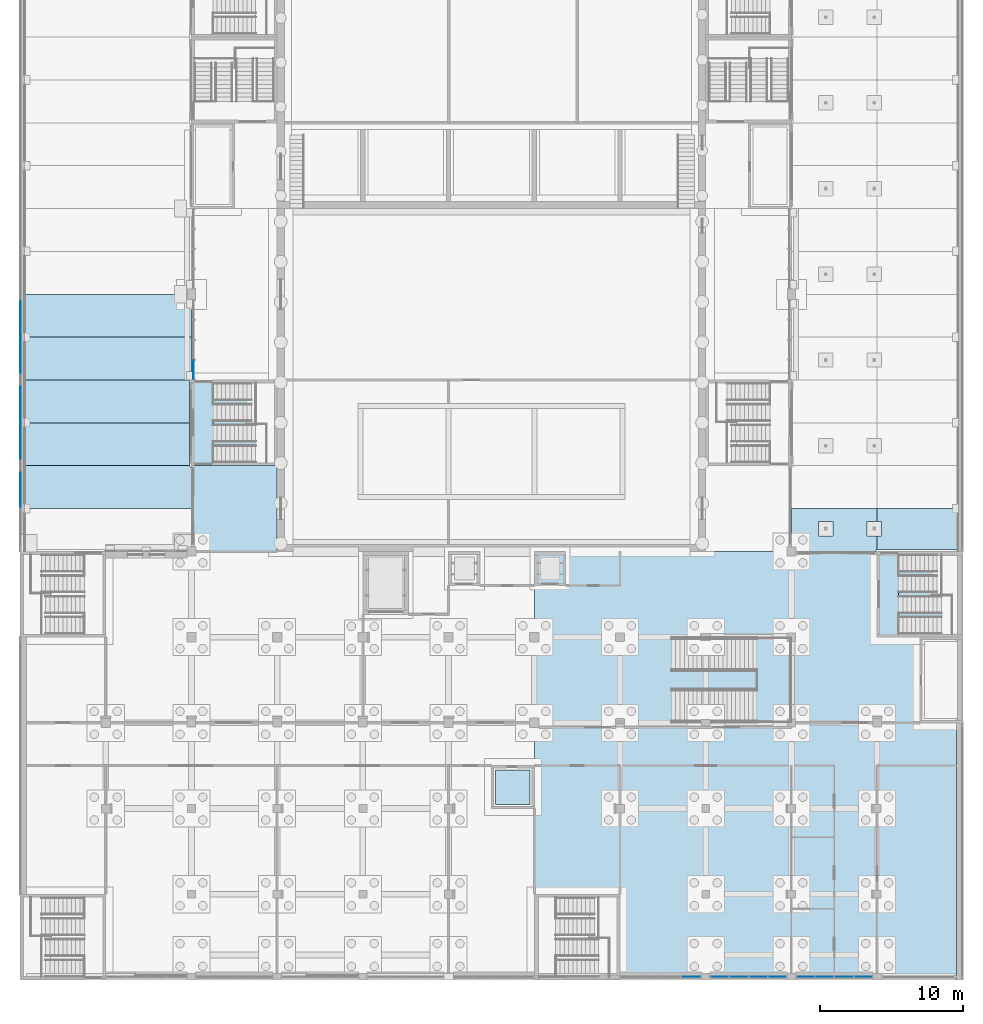
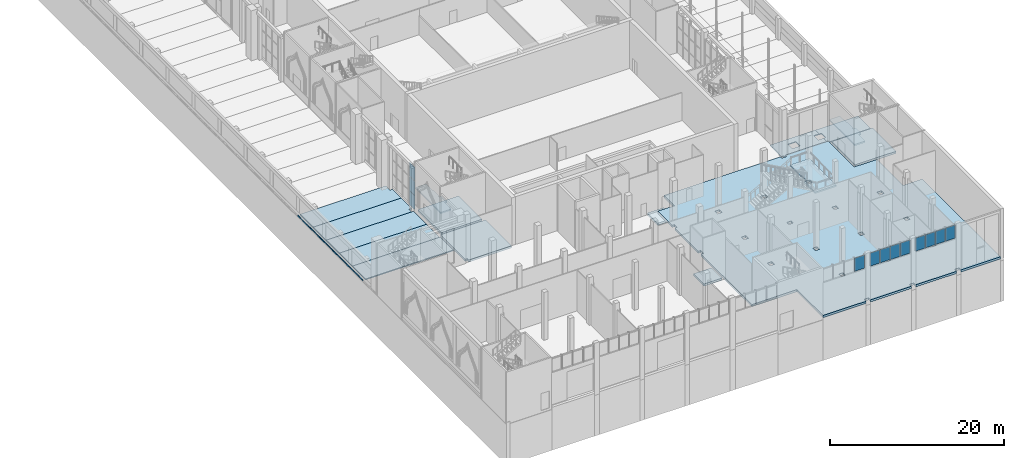
# One storey, part 29 of 95: 21 slabs, 12 plates, 7 elements without a shape of their own.
"""IFC4 building model written with IfcOpenShell, lengths in metres."""

from ifc_helpers import new_model, si_unit, direction, frame, origin, origin_2d, place, context, subcontext, project, spatial, polyline, rectangle, outline, extrude, material, layer, layer_set, type_object, element, aggregate, save


model = new_model("IFC4")

# Units and contexts
model_context = context("Model", 3, precision=1e-05, world=origin(), true_north=direction((0.0, 1.0)))
body_context = subcontext(model_context, "Body", "Model", "MODEL_VIEW")
ifc_project = project(units=[si_unit("LENGTHUNIT", "METRE"), si_unit("AREAUNIT", "SQUARE_METRE"), si_unit("VOLUMEUNIT", "CUBIC_METRE"), si_unit("PLANEANGLEUNIT", "RADIAN"), si_unit("MASSUNIT", "GRAM", prefix="KILO")], contexts=[model_context])

# Site, building, storey
site_placement = place(None, origin())
site = spatial("IfcSite", under=ifc_project, at=site_placement, CompositionType="ELEMENT")
building_placement = place(site_placement, origin())
building = spatial("IfcBuilding", under=site, at=building_placement, Name="Saffron Lane Theatres", CompositionType="ELEMENT")
storey_placement = place(building_placement, origin())
storey = spatial("IfcBuildingStorey", under=building, at=storey_placement, Name="L00", CompositionType="ELEMENT", Elevation=0.0)

# Curtain wall, plates
ifc_material_1 = material(Name="Aluminium", Category="aluminium")
curtain_wall_type_1 = type_object("IfcCurtainWallType", Name="EX-CURTAIN WALL 5400x1950x120", PredefinedType="NOTDEFINED", material=ifc_material_1)
curtain_wall_1_placement = place(storey_placement, origin())
curtain_wall_1 = element("IfcCurtainWall", 1, at=curtain_wall_1_placement, inside=storey, type_object=curtain_wall_type_1, Name="Curtain wall L00 09", PredefinedType="NOTDEFINED")
ifc_material_2 = material(Name="Glass", Category="glass")
ifc_layer_1 = layer(ifc_material_2, 0.02392578125)
ifc_layer_set_1 = layer_set([ifc_layer_1], Name="Glass")
plate_type_1 = type_object("IfcPlateType", Name="EX-CW PANEL GLAZING 24", PredefinedType="CURTAIN_PANEL", material=ifc_layer_set_1)
plate_1_placement = place(storey_placement, frame((59.010009765625, 0.22509765625, 4.85986328125), z_axis=(0.0, 0.0, 1.0), x_axis=(-1.0, 0.0, 0.0)))
plate_1 = element("IfcPlate", 2, at=plate_1_placement, type_object=plate_type_1, Name="CW-00-09 panel 1.1", PredefinedType="CURTAIN_PANEL", context=body_context, shape_type="SweptSolid", body=[
    extrude(rectangle(XDim=1.260009765625, YDim=0.02392578125, at=origin_2d()), origin(), (0.0, 0.0, 1.0), 1.830078125),
])
plate_2_placement = place(storey_placement, frame((57.675048828125, 0.22509765625, 4.85986328125), z_axis=(0.0, 0.0, 1.0), x_axis=(-1.0, 0.0, 0.0)))
plate_2 = element("IfcPlate", 3, at=plate_2_placement, type_object=plate_type_1, Name="CW-00-09 panel 2.1", PredefinedType="CURTAIN_PANEL", context=body_context, shape_type="SweptSolid", body=[
    extrude(rectangle(XDim=1.2900390625, YDim=0.02392578125, at=origin_2d()), origin(), (0.0, 0.0, 1.0), 1.830078125),
])
plate_3_placement = place(storey_placement, frame((56.324951171875, 0.22509765625, 4.85986328125), z_axis=(0.0, 0.0, 1.0), x_axis=(-1.0, 0.0, 0.0)))
plate_3 = element("IfcPlate", 4, at=plate_3_placement, type_object=plate_type_1, Name="CW-00-09 panel 3.1", PredefinedType="CURTAIN_PANEL", context=body_context, shape_type="SweptSolid", body=[
    extrude(rectangle(XDim=1.2900390625, YDim=0.02392578125, at=origin_2d()), origin(), (0.0, 0.0, 1.0), 1.830078125),
])
plate_4_placement = place(storey_placement, frame((54.989990234375, 0.22509765625, 4.85986328125), z_axis=(0.0, 0.0, 1.0), x_axis=(-1.0, 0.0, 0.0)))
plate_4 = element("IfcPlate", 5, at=plate_4_placement, type_object=plate_type_1, Name="CW-00-09 panel 4.1", PredefinedType="CURTAIN_PANEL", context=body_context, shape_type="SweptSolid", body=[
    extrude(rectangle(XDim=1.260009765625, YDim=0.02392578125, at=origin_2d()), origin(), (0.0, 0.0, 1.0), 1.830078125),
])
aggregate(curtain_wall_1, [plate_1, plate_2, plate_3, plate_4])

curtain_wall_2_placement = place(storey_placement, origin())
curtain_wall_2 = element("IfcCurtainWall", 6, at=curtain_wall_2_placement, inside=storey, type_object=curtain_wall_type_1, Name="Curtain wall L00 10", PredefinedType="NOTDEFINED")
plate_5_placement = place(storey_placement, frame((53.010009765625, 0.22509765625, 4.85986328125), z_axis=(0.0, 0.0, 1.0), x_axis=(-1.0, 0.0, 0.0)))
plate_5 = element("IfcPlate", 7, at=plate_5_placement, type_object=plate_type_1, Name="CW-00-10 panel 1.1", PredefinedType="CURTAIN_PANEL", context=body_context, shape_type="SweptSolid", body=[
    extrude(rectangle(XDim=1.260009765625, YDim=0.02392578125, at=origin_2d()), origin(), (0.0, 0.0, 1.0), 1.830078125),
])
plate_6_placement = place(storey_placement, frame((51.675048828125, 0.22509765625, 4.85986328125), z_axis=(0.0, 0.0, 1.0), x_axis=(-1.0, 0.0, 0.0)))
plate_6 = element("IfcPlate", 8, at=plate_6_placement, type_object=plate_type_1, Name="CW-00-10 panel 2.1", PredefinedType="CURTAIN_PANEL", context=body_context, shape_type="SweptSolid", body=[
    extrude(rectangle(XDim=1.2900390625, YDim=0.02392578125, at=origin_2d()), origin(), (0.0, 0.0, 1.0), 1.830078125),
])
plate_7_placement = place(storey_placement, frame((50.324951171875, 0.22509765625, 4.85986328125), z_axis=(0.0, 0.0, 1.0), x_axis=(-1.0, 0.0, 0.0)))
plate_7 = element("IfcPlate", 9, at=plate_7_placement, type_object=plate_type_1, Name="CW-00-10 panel 3.1", PredefinedType="CURTAIN_PANEL", context=body_context, shape_type="SweptSolid", body=[
    extrude(rectangle(XDim=1.2900390625, YDim=0.02392578125, at=origin_2d()), origin(), (0.0, 0.0, 1.0), 1.830078125),
])
plate_8_placement = place(storey_placement, frame((48.989990234375, 0.22509765625, 4.85986328125), z_axis=(0.0, 0.0, 1.0), x_axis=(-1.0, 0.0, 0.0)))
plate_8 = element("IfcPlate", 10, at=plate_8_placement, type_object=plate_type_1, Name="CW-00-10 panel 4.1", PredefinedType="CURTAIN_PANEL", context=body_context, shape_type="SweptSolid", body=[
    extrude(rectangle(XDim=1.260009765625, YDim=0.02392578125, at=origin_2d()), origin(), (0.0, 0.0, 1.0), 1.830078125),
])
aggregate(curtain_wall_2, [plate_5, plate_6, plate_7, plate_8])

# Curtain wall, plate
ifc_material_3 = material(Name="Aluminium", Category="aluminium")
curtain_wall_type_2 = type_object("IfcCurtainWallType", Name="EX-CURTAIN WALL 5700x1950x120", PredefinedType="NOTDEFINED", material=ifc_material_3)
curtain_wall_3_placement = place(storey_placement, origin())
curtain_wall_3 = element("IfcCurtainWall", 11, at=curtain_wall_3_placement, inside=storey, type_object=curtain_wall_type_2, Name="Curtain wall L00 11", PredefinedType="NOTDEFINED")
plate_9_placement = place(storey_placement, frame((46.972412109375, 0.22509765625, 4.85986328125), z_axis=(0.0, 0.0, 1.0), x_axis=(-1.0, 0.0, 0.0)))
plate_9 = element("IfcPlate", 12, at=plate_9_placement, type_object=plate_type_1, Name="CW-00-11 panel 1.1", PredefinedType="CURTAIN_PANEL", context=body_context, shape_type="SweptSolid", body=[
    extrude(rectangle(XDim=1.3349609375, YDim=0.02392578125, at=origin_2d()), origin(), (0.0, 0.0, 1.0), 1.830078125),
])
aggregate(curtain_wall_3, [plate_9])

# Curtain wall, plates
ifc_material_4 = material(Name="Aluminium", Category="aluminium")
curtain_wall_type_3 = type_object("IfcCurtainWallType", Name="EX-CURTAIN WALL 5620x6050x200", PredefinedType="NOTDEFINED", material=ifc_material_4)
curtain_wall_4_placement = place(storey_placement, origin())
curtain_wall_4 = element("IfcCurtainWall", 13, at=curtain_wall_4_placement, inside=storey, type_object=curtain_wall_type_3, Name="Curtain wall L00 01", PredefinedType="NOTDEFINED")
ifc_material_5 = material(Name="Glass", Category="glass")
ifc_layer_2 = layer(ifc_material_5, 0.031982421875)
ifc_layer_set_2 = layer_set([ifc_layer_2], Name="Glass")
plate_type_2 = type_object("IfcPlateType", Name="EX-CW PANEL GLAZING 32", PredefinedType="CURTAIN_PANEL", material=ifc_layer_set_2)
plate_10_placement = place(storey_placement, frame((12.14990234375, 42.718017578125, 0.06005859375), z_axis=(0.0, 0.0, 1.0), x_axis=(0.0, 1.0, 0.0)))
plate_10 = element("IfcPlate", 14, at=plate_10_placement, type_object=plate_type_2, Name="CW-00-01 panel 1.1", PredefinedType="CURTAIN_PANEL", context=body_context, shape_type="SweptSolid", body=[
    extrude(rectangle(XDim=1.316162109375, YDim=0.031982421875, at=origin_2d()), origin(), (0.0, 0.0, 1.0), 1.926513671875),
])
plate_11_placement = place(storey_placement, frame((12.14990234375, 42.718017578125, 2.04638671875), z_axis=(0.0, 0.0, 1.0), x_axis=(0.0, 1.0, 0.0)))
plate_11 = element("IfcPlate", 15, at=plate_11_placement, type_object=plate_type_2, Name="CW-00-01 panel 1.2", PredefinedType="CURTAIN_PANEL", context=body_context, shape_type="SweptSolid", body=[
    extrude(rectangle(XDim=1.316162109375, YDim=0.031982421875, at=origin_2d()), origin(), (0.0, 0.0, 1.0), 1.956787109375),
])
plate_12_placement = place(storey_placement, frame((12.14990234375, 42.718017578125, 4.0634765625), z_axis=(0.0, 0.0, 1.0), x_axis=(0.0, 1.0, 0.0)))
plate_12 = element("IfcPlate", 16, at=plate_12_placement, type_object=plate_type_2, Name="CW-00-01 panel 1.3", PredefinedType="CURTAIN_PANEL", context=body_context, shape_type="SweptSolid", body=[
    extrude(rectangle(XDim=1.316162109375, YDim=0.031982421875, at=origin_2d()), origin(), (0.0, 0.0, 1.0), 1.926513671875),
])
aggregate(curtain_wall_4, [plate_10, plate_11, plate_12])

# Slabs
ifc_material_6 = material(Name="Masonry bluestone paving", Category="masonry")
ifc_layer_3 = layer(ifc_material_6, 0.14990234375)
ifc_layer_set_3 = layer_set([ifc_layer_3], Name="Masonry bluestone paving")
slab_type_1 = type_object("IfcSlabType", Name="EX-PAVING BLUESTONE 150", PredefinedType="USERDEFINED", material=ifc_layer_set_3)
slab_1_placement = place(storey_placement, frame((0.0, 0.0, -0.14990234375)))
element("IfcSlab", 17, at=slab_1_placement, inside=storey, type_object=slab_type_1, Name="West court paving 3", ObjectType="PAVING", PredefinedType="USERDEFINED", context=body_context, shape_type="SweptSolid", body=[
    extrude(outline(polyline([(0.055908203125, 33.0), (0.055908203125, 36.0), (0.0, 36.0), (0.0, 33.0), (0.055908203125, 33.0)])), origin(), (0.0, 0.0, 1.0), 0.14990234375),
])
slab_2_placement = place(storey_placement, frame((0.0, 0.0, -0.14990234375)))
element("IfcSlab", 18, at=slab_2_placement, inside=storey, type_object=slab_type_1, Name="West court paving 4", ObjectType="PAVING", PredefinedType="USERDEFINED", context=body_context, shape_type="SweptSolid", body=[
    extrude(outline(polyline([(11.880615234375, 35.98828125), (11.8798828125, 36.0), (0.31396484375, 36.0), (0.31396484375, 33.0), (11.99609375, 33.0), (11.99609375, 35.880126953125), (11.98828125, 35.880615234375), (11.9765625, 35.88232421875), (11.965087890625, 35.88525390625), (11.9541015625, 35.88916015625), (11.943359375, 35.894287109375), (11.933349609375, 35.900146484375), (11.923828125, 35.9072265625), (11.9150390625, 35.9150390625), (11.9072265625, 35.923828125), (11.900146484375, 35.933349609375), (11.894287109375, 35.943359375), (11.88916015625, 35.9541015625), (11.88525390625, 35.965087890625), (11.88232421875, 35.9765625), (11.880615234375, 35.98828125)])), origin(), (0.0, 0.0, 1.0), 0.14990234375),
])
slab_3_placement = place(storey_placement, frame((0.0, 0.0, -0.14990234375)))
element("IfcSlab", 19, at=slab_3_placement, inside=storey, type_object=slab_type_1, Name="West court paving 7", ObjectType="PAVING", PredefinedType="USERDEFINED", context=body_context, shape_type="SweptSolid", body=[
    extrude(outline(polyline([(0.055908203125, 39.0), (0.055908203125, 42.0), (0.0, 42.0), (0.0, 39.0), (0.055908203125, 39.0)])), origin(), (0.0, 0.0, 1.0), 0.14990234375),
])
slab_4_placement = place(storey_placement, frame((0.0, 0.0, -0.14990234375)))
element("IfcSlab", 20, at=slab_4_placement, inside=storey, type_object=slab_type_1, Name="West court paving 8", ObjectType="PAVING", PredefinedType="USERDEFINED", context=body_context, shape_type="SweptSolid", body=[
    extrude(outline(polyline([(11.64599609375, 41.99951171875), (11.64599609375, 42.0), (0.31396484375, 42.0), (0.31396484375, 39.0), (11.8798828125, 39.0), (11.8798828125, 41.99609375), (11.64990234375, 41.99609375), (11.649658203125, 41.99609375), (11.649169921875, 41.99609375), (11.64892578125, 41.99609375), (11.6484375, 41.996337890625), (11.648193359375, 41.99658203125), (11.647705078125, 41.99658203125), (11.6474609375, 41.996826171875), (11.647216796875, 41.9970703125), (11.64697265625, 41.99755859375), (11.646728515625, 41.997802734375), (11.646484375, 41.998046875), (11.646240234375, 41.99853515625), (11.646240234375, 41.998779296875), (11.64599609375, 41.999267578125), (11.64599609375, 41.99951171875)])), origin(), (0.0, 0.0, 1.0), 0.14990234375),
])
slab_5_placement = place(storey_placement, frame((0.0, 0.0, -0.14990234375)))
element("IfcSlab", 21, at=slab_5_placement, inside=storey, type_object=slab_type_1, Name="West court paving 11", ObjectType="PAVING", PredefinedType="USERDEFINED", context=body_context, shape_type="SweptSolid", body=[
    extrude(outline(polyline([(0.055908203125, 45.0), (0.055908203125, 48.0), (0.0, 48.0), (0.0, 45.0), (0.055908203125, 45.0)])), origin(), (0.0, 0.0, 1.0), 0.14990234375),
])
slab_6_placement = place(storey_placement, frame((0.0, 0.0, -0.14990234375)))
element("IfcSlab", 22, at=slab_6_placement, inside=storey, type_object=slab_type_1, Name="West court paving 12", ObjectType="PAVING", PredefinedType="USERDEFINED", context=body_context, shape_type="SweptSolid", body=[
    extrude(outline(polyline([(11.720947265625, 47.62890625), (11.720947265625, 48.0), (0.31396484375, 48.0), (0.31396484375, 45.0), (11.99609375, 45.0), (11.99609375, 47.02099609375), (11.64990234375, 47.02099609375), (11.649658203125, 47.02099609375), (11.649169921875, 47.02099609375), (11.64892578125, 47.021240234375), (11.6484375, 47.021240234375), (11.648193359375, 47.021484375), (11.647705078125, 47.021728515625), (11.6474609375, 47.02197265625), (11.647216796875, 47.022216796875), (11.64697265625, 47.0224609375), (11.646728515625, 47.022705078125), (11.646484375, 47.023193359375), (11.646240234375, 47.0234375), (11.646240234375, 47.02392578125), (11.64599609375, 47.024169921875), (11.64599609375, 47.024658203125), (11.64599609375, 47.02490234375), (11.64599609375, 47.625), (11.64599609375, 47.62548828125), (11.64599609375, 47.625732421875), (11.646240234375, 47.626220703125), (11.646240234375, 47.62646484375), (11.646484375, 47.626953125), (11.646728515625, 47.627197265625), (11.64697265625, 47.62744140625), (11.647216796875, 47.6279296875), (11.6474609375, 47.628173828125), (11.647705078125, 47.62841796875), (11.648193359375, 47.62841796875), (11.6484375, 47.628662109375), (11.64892578125, 47.62890625), (11.649169921875, 47.62890625), (11.649658203125, 47.62890625), (11.64990234375, 47.62890625), (11.720947265625, 47.62890625)])), origin(), (0.0, 0.0, 1.0), 0.14990234375),
])
ifc_material_7 = material(Name="Masonry sandstone paving", Category="masonry")
ifc_layer_4 = layer(ifc_material_7, 0.1201171875)
ifc_layer_set_4 = layer_set([ifc_layer_4], Name="Masonry sandstone paving")
slab_type_2 = type_object("IfcSlabType", Name="EX-PAVING SANDSTONE 120", PredefinedType="USERDEFINED", material=ifc_layer_set_4)
slab_7_placement = place(storey_placement, frame((0.0, 0.0, -0.1201171875)))
element("IfcSlab", 23, at=slab_7_placement, inside=storey, type_object=slab_type_2, Name="Saffron Lane passage paving 1", ObjectType="PAVING", PredefinedType="USERDEFINED", context=body_context, shape_type="SweptSolid", body=[
    extrude(outline(polyline([(60.0, 32.10400390625), (60.0, 33.0), (54.00390625, 33.0), (54.00390625, 30.3291015625), (54.324951171875, 30.3291015625), (54.325439453125, 30.3291015625), (54.32568359375, 30.328857421875), (54.326171875, 30.328857421875), (54.326416015625, 30.32861328125), (54.326904296875, 30.32861328125), (54.3271484375, 30.328369140625), (54.32763671875, 30.328125), (54.327880859375, 30.327880859375), (54.328125, 30.32763671875), (54.328369140625, 30.3271484375), (54.32861328125, 30.326904296875), (54.32861328125, 30.326416015625), (54.328857421875, 30.326171875), (54.328857421875, 30.32568359375), (54.3291015625, 30.325439453125), (54.3291015625, 30.324951171875), (54.3291015625, 30.00390625), (59.880126953125, 30.00390625), (59.880615234375, 30.01171875), (59.88232421875, 30.0234375), (59.88525390625, 30.034912109375), (59.88916015625, 30.0458984375), (59.894287109375, 30.056640625), (59.900146484375, 30.066650390625), (59.9072265625, 30.076171875), (59.9150390625, 30.0849609375), (59.923828125, 30.0927734375), (59.933349609375, 30.099853515625), (59.943359375, 30.105712890625), (59.9541015625, 30.11083984375), (59.965087890625, 30.11474609375), (59.9765625, 30.11767578125), (59.98828125, 30.119384765625), (60.0, 30.1201171875), (60.0, 31.095947265625), (59.300048828125, 31.095947265625), (59.299560546875, 31.095947265625), (59.29931640625, 31.09619140625), (59.298828125, 31.09619140625), (59.298583984375, 31.09619140625), (59.298095703125, 31.096435546875), (59.2978515625, 31.0966796875), (59.29736328125, 31.096923828125), (59.297119140625, 31.09716796875), (59.296875, 31.097412109375), (59.296630859375, 31.09765625), (59.29638671875, 31.09814453125), (59.29638671875, 31.098388671875), (59.296142578125, 31.098876953125), (59.296142578125, 31.09912109375), (59.2958984375, 31.099609375), (59.2958984375, 31.10009765625), (59.2958984375, 32.10009765625), (59.2958984375, 32.100341796875), (59.296142578125, 32.100830078125), (59.296142578125, 32.10107421875), (59.29638671875, 32.1015625), (59.29638671875, 32.101806640625), (59.296630859375, 32.102294921875), (59.296875, 32.1025390625), (59.297119140625, 32.102783203125), (59.29736328125, 32.10302734375), (59.2978515625, 32.103271484375), (59.298095703125, 32.103515625), (59.298583984375, 32.103759765625), (59.298828125, 32.103759765625), (59.29931640625, 32.10400390625), (59.299560546875, 32.10400390625), (59.300048828125, 32.10400390625), (60.0, 32.10400390625)]), holes=[polyline([(55.89599609375, 32.100830078125), (55.896240234375, 32.10107421875), (55.896240234375, 32.1015625), (55.896484375, 32.101806640625), (55.896728515625, 32.102294921875), (55.89697265625, 32.1025390625), (55.897216796875, 32.102783203125), (55.8974609375, 32.10302734375), (55.897705078125, 32.103271484375), (55.898193359375, 32.103515625), (55.8984375, 32.103759765625), (55.89892578125, 32.103759765625), (55.899169921875, 32.10400390625), (55.899658203125, 32.10400390625), (55.89990234375, 32.10400390625), (56.89990234375, 32.10400390625), (56.900390625, 32.10400390625), (56.90087890625, 32.10400390625), (56.901123046875, 32.103759765625), (56.901611328125, 32.103759765625), (56.90185546875, 32.103515625), (56.90234375, 32.103271484375), (56.902587890625, 32.10302734375), (56.90283203125, 32.102783203125), (56.903076171875, 32.1025390625), (56.9033203125, 32.102294921875), (56.903564453125, 32.101806640625), (56.90380859375, 32.1015625), (56.90380859375, 32.10107421875), (56.90380859375, 32.100830078125), (56.904052734375, 32.100341796875), (56.904052734375, 32.10009765625), (56.904052734375, 31.10009765625), (56.904052734375, 31.099609375), (56.90380859375, 31.09912109375), (56.90380859375, 31.098876953125), (56.90380859375, 31.098388671875), (56.903564453125, 31.09814453125), (56.9033203125, 31.09765625), (56.903076171875, 31.097412109375), (56.90283203125, 31.09716796875), (56.902587890625, 31.096923828125), (56.90234375, 31.0966796875), (56.90185546875, 31.096435546875), (56.901611328125, 31.09619140625), (56.901123046875, 31.09619140625), (56.90087890625, 31.09619140625), (56.900390625, 31.095947265625), (56.89990234375, 31.095947265625), (55.89990234375, 31.095947265625), (55.899658203125, 31.095947265625), (55.899169921875, 31.09619140625), (55.89892578125, 31.09619140625), (55.8984375, 31.09619140625), (55.898193359375, 31.096435546875), (55.897705078125, 31.0966796875), (55.8974609375, 31.096923828125), (55.897216796875, 31.09716796875), (55.89697265625, 31.097412109375), (55.896728515625, 31.09765625), (55.896484375, 31.09814453125), (55.896240234375, 31.098388671875), (55.896240234375, 31.098876953125), (55.89599609375, 31.09912109375), (55.89599609375, 31.099609375), (55.89599609375, 31.10009765625), (55.89599609375, 32.10009765625), (55.89599609375, 32.100341796875), (55.89599609375, 32.100830078125)])]), origin(), (0.0, 0.0, 1.0), 0.1201171875),
])
ifc_material_8 = material(Name="Masonry sandstone paving", Category="masonry")
ifc_layer_5 = layer(ifc_material_8, 0.14990234375)
ifc_layer_set_5 = layer_set([ifc_layer_5], Name="Masonry sandstone paving")
slab_type_3 = type_object("IfcSlabType", Name="EX-PAVING SANDSTONE 150", PredefinedType="USERDEFINED", material=ifc_layer_set_5)
slab_8_placement = place(storey_placement, frame((0.0, 0.0, -0.14990234375)))
element("IfcSlab", 24, at=slab_8_placement, inside=storey, type_object=slab_type_3, Name="West court paving 5", ObjectType="PAVING", PredefinedType="USERDEFINED", context=body_context, shape_type="SweptSolid", body=[
    extrude(outline(polyline([(0.055908203125, 36.0), (0.055908203125, 39.0), (0.0, 39.0), (0.0, 36.0), (0.055908203125, 36.0)])), origin(), (0.0, 0.0, 1.0), 0.14990234375),
])
slab_9_placement = place(storey_placement, frame((0.0, 0.0, -0.14990234375)))
element("IfcSlab", 25, at=slab_9_placement, inside=storey, type_object=slab_type_3, Name="West court paving 6", ObjectType="PAVING", PredefinedType="USERDEFINED", context=body_context, shape_type="SweptSolid", body=[
    extrude(outline(polyline([(11.8798828125, 36.0), (11.8798828125, 39.0), (0.31396484375, 39.0), (0.31396484375, 36.0), (11.8798828125, 36.0)])), origin(), (0.0, 0.0, 1.0), 0.14990234375),
])
slab_10_placement = place(storey_placement, frame((0.0, 0.0, -0.14990234375)))
element("IfcSlab", 26, at=slab_10_placement, inside=storey, type_object=slab_type_3, Name="West court paving 9", ObjectType="PAVING", PredefinedType="USERDEFINED", context=body_context, shape_type="SweptSolid", body=[
    extrude(outline(polyline([(0.055908203125, 42.0), (0.055908203125, 45.0), (0.0, 45.0), (0.0, 42.0), (0.055908203125, 42.0)])), origin(), (0.0, 0.0, 1.0), 0.14990234375),
])
slab_11_placement = place(storey_placement, frame((0.0, 0.0, -0.14990234375)))
element("IfcSlab", 27, at=slab_11_placement, inside=storey, type_object=slab_type_3, Name="West court paving 10", ObjectType="PAVING", PredefinedType="USERDEFINED", context=body_context, shape_type="SweptSolid", body=[
    extrude(outline(polyline([(11.99609375, 42.60400390625), (11.99609375, 45.0), (0.31396484375, 45.0), (0.31396484375, 42.0), (11.64599609375, 42.0), (11.64599609375, 42.60009765625), (11.64599609375, 42.600341796875), (11.64599609375, 42.600830078125), (11.646240234375, 42.60107421875), (11.646240234375, 42.6015625), (11.646484375, 42.601806640625), (11.646728515625, 42.602294921875), (11.64697265625, 42.6025390625), (11.647216796875, 42.602783203125), (11.6474609375, 42.60302734375), (11.647705078125, 42.603271484375), (11.648193359375, 42.603515625), (11.6484375, 42.603759765625), (11.64892578125, 42.603759765625), (11.649169921875, 42.60400390625), (11.649658203125, 42.60400390625), (11.64990234375, 42.60400390625), (11.99609375, 42.60400390625)])), origin(), (0.0, 0.0, 1.0), 0.14990234375),
])
slab_12_placement = place(storey_placement, frame((0.0, 0.0, -0.14990234375)))
element("IfcSlab", 28, at=slab_12_placement, inside=storey, type_object=slab_type_3, Name="East court paving 1", ObjectType="PAVING", PredefinedType="USERDEFINED", context=body_context, shape_type="SweptSolid", body=[
    extrude(outline(polyline([(60.30126953125, 31.09619140625), (60.30078125, 31.09619140625), (60.30029296875, 31.095947265625), (60.300048828125, 31.095947265625), (60.0, 31.095947265625), (60.0, 30.1201171875), (65.68603515625, 30.1201171875), (65.68603515625, 33.0), (60.0, 33.0), (60.0, 32.10400390625), (60.300048828125, 32.10400390625), (60.30029296875, 32.10400390625), (60.30078125, 32.10400390625), (60.30126953125, 32.103759765625), (60.301513671875, 32.103759765625), (60.302001953125, 32.103515625), (60.30224609375, 32.103271484375), (60.302490234375, 32.10302734375), (60.302734375, 32.102783203125), (60.302978515625, 32.1025390625), (60.30322265625, 32.102294921875), (60.303466796875, 32.101806640625), (60.3037109375, 32.1015625), (60.3037109375, 32.10107421875), (60.303955078125, 32.100830078125), (60.303955078125, 32.100341796875), (60.303955078125, 32.10009765625), (60.303955078125, 31.10009765625), (60.303955078125, 31.099609375), (60.303955078125, 31.09912109375), (60.3037109375, 31.098876953125), (60.3037109375, 31.098388671875), (60.303466796875, 31.09814453125), (60.30322265625, 31.09765625), (60.302978515625, 31.097412109375), (60.302734375, 31.09716796875), (60.302490234375, 31.096923828125), (60.30224609375, 31.0966796875), (60.302001953125, 31.096435546875), (60.301513671875, 31.09619140625), (60.30126953125, 31.09619140625)])), origin(), (0.0, 0.0, 1.0), 0.14990234375),
])
ifc_material_9 = material(Name="Concrete N40 (40 MPa)", Category="concrete")
ifc_layer_6 = layer(ifc_material_9, 0.300048828125)
ifc_layer_set_6 = layer_set([ifc_layer_6], Name="Concrete N40 (40 MPa)")
slab_type_4 = type_object("IfcSlabType", Name="RC-SLAB BASE 300", PredefinedType="BASESLAB", material=ifc_layer_set_6)
slab_13_placement = place(storey_placement, origin())
element("IfcSlab", 29, at=slab_13_placement, inside=storey, type_object=slab_type_4, Name="slab-L00-STAGE-1", PredefinedType="BASESLAB", context=body_context, shape_type="SweptSolid", body=[
    extrude(outline(polyline([(18.0, 36.0), (12.0, 36.0), (12.0, 30.326904296875), (12.326904296875, 30.326904296875), (12.326904296875, 30.0), (18.0, 30.0), (18.0, 36.0)])), origin(), (0.0, 0.0, 1.0), 0.300048828125),
])
slab_14_placement = place(storey_placement, origin())
element("IfcSlab", 30, at=slab_14_placement, inside=storey, type_object=slab_type_4, Name="slab-L00-STUDIO-1", PredefinedType="BASESLAB", context=body_context, shape_type="SweptSolid", body=[
    extrude(outline(polyline([(60.0, 24.0), (60.0, 30.0), (54.326904296875, 30.0), (54.326904296875, 29.673095703125), (53.673095703125, 29.673095703125), (53.673095703125, 30.0), (48.0, 30.0), (47.5, 30.0), (38.199951171875, 30.0), (38.199951171875, 27.60009765625), (36.0, 27.60009765625), (36.0, 24.326904296875), (36.326904296875, 24.326904296875), (36.326904296875, 23.673095703125), (36.0, 23.673095703125), (36.0, 18.326904296875), (36.326904296875, 18.326904296875), (36.326904296875, 17.673095703125), (36.0, 17.673095703125), (36.0, 15.0), (36.0, 12.0), (36.0, 6.0), (42.0, 6.0), (42.0, 0.00048828125), (47.697998046875, 0.00048828125), (47.697998046875, 0.452392578125), (48.302001953125, 0.452392578125), (48.302001953125, 0.00048828125), (53.697998046875, 0.00048828125), (53.697998046875, 0.452392578125), (54.302001953125, 0.452392578125), (54.302001953125, 0.00048828125), (59.697998046875, 0.00048828125), (59.697998046875, 0.452392578125), (60.302001953125, 0.452392578125), (60.302001953125, 0.00048828125), (65.5400390625, 0.00048828125), (65.5400390625, 18.0), (63.0, 18.0), (63.0, 24.0), (60.0, 24.0)]), holes=[polyline([(59.697998046875, 18.302001953125), (60.302001953125, 18.302001953125), (60.302001953125, 17.697998046875), (59.697998046875, 17.697998046875), (59.697998046875, 18.302001953125)]), polyline([(59.722900390625, 5.722900390625), (59.722900390625, 6.277099609375), (60.277099609375, 6.277099609375), (60.277099609375, 5.722900390625), (59.722900390625, 5.722900390625)]), polyline([(59.722900390625, 12.277099609375), (60.277099609375, 12.277099609375), (60.277099609375, 11.722900390625), (59.722900390625, 11.722900390625), (59.722900390625, 12.277099609375)]), polyline([(53.697998046875, 24.302001953125), (54.302001953125, 24.302001953125), (54.302001953125, 23.697998046875), (53.697998046875, 23.697998046875), (53.697998046875, 24.302001953125)]), polyline([(53.722900390625, 5.722900390625), (53.722900390625, 6.277099609375), (54.277099609375, 6.277099609375), (54.277099609375, 5.722900390625), (53.722900390625, 5.722900390625)]), polyline([(53.722900390625, 11.722900390625), (53.722900390625, 12.277099609375), (54.277099609375, 12.277099609375), (54.277099609375, 11.722900390625), (53.722900390625, 11.722900390625)]), polyline([(53.722900390625, 18.277099609375), (54.277099609375, 18.277099609375), (54.277099609375, 17.722900390625), (53.722900390625, 17.722900390625), (53.722900390625, 18.277099609375)]), polyline([(47.64794921875, 24.251953125), (48.35205078125, 24.251953125), (48.35205078125, 23.748046875), (47.64794921875, 23.748046875), (47.64794921875, 24.251953125)]), polyline([(47.697998046875, 17.77294921875), (47.697998046875, 18.22705078125), (48.302001953125, 18.22705078125), (48.302001953125, 17.77294921875), (47.697998046875, 17.77294921875)]), polyline([(47.722900390625, 6.277099609375), (48.277099609375, 6.277099609375), (48.277099609375, 5.722900390625), (47.722900390625, 5.722900390625), (47.722900390625, 6.277099609375)]), polyline([(47.722900390625, 11.722900390625), (47.722900390625, 12.277099609375), (48.277099609375, 12.277099609375), (48.277099609375, 11.722900390625), (47.722900390625, 11.722900390625)]), polyline([(41.697998046875, 11.697998046875), (41.697998046875, 12.302001953125), (42.302001953125, 12.302001953125), (42.302001953125, 11.697998046875), (41.697998046875, 11.697998046875)]), polyline([(41.697998046875, 18.302001953125), (42.302001953125, 18.302001953125), (42.302001953125, 17.697998046875), (41.697998046875, 17.697998046875), (41.697998046875, 18.302001953125)]), polyline([(41.697998046875, 23.697998046875), (41.697998046875, 24.302001953125), (42.302001953125, 24.302001953125), (42.302001953125, 23.697998046875), (41.697998046875, 23.697998046875)])]), origin(), (0.0, 0.0, 1.0), 0.300048828125),
])
slab_15_placement = place(storey_placement, origin())
element("IfcSlab", 31, at=slab_15_placement, inside=storey, type_object=slab_type_4, Name="slab-L00-core-ST5", PredefinedType="BASESLAB", context=body_context, shape_type="SweptSolid", body=[
    extrude(outline(polyline([(12.300048828125, 36.300048828125), (17.699951171875, 36.300048828125), (17.699951171875, 41.699951171875), (12.300048828125, 41.699951171875), (12.300048828125, 36.300048828125)])), origin(), (0.0, 0.0, 1.0), 0.300048828125),
])
slab_16_placement = place(storey_placement, origin())
element("IfcSlab", 32, at=slab_16_placement, inside=storey, type_object=slab_type_4, Name="slab-L00-core-ST13", PredefinedType="BASESLAB", context=body_context, shape_type="SweptSolid", body=[
    extrude(outline(polyline([(60.300048828125, 24.300048828125), (65.699951171875, 24.300048828125), (65.699951171875, 29.699951171875), (60.300048828125, 29.699951171875), (60.300048828125, 24.300048828125)])), origin(), (0.0, 0.0, 1.0), 0.300048828125),
])
slab_17_placement = place(storey_placement, origin())
element("IfcSlab", 33, at=slab_17_placement, inside=storey, type_object=slab_type_4, Name="slab-L00-core-R5", PredefinedType="BASESLAB", context=body_context, shape_type="SweptSolid", body=[
    extrude(outline(polyline([(33.300048828125, 12.300048828125), (35.699951171875, 12.300048828125), (35.699951171875, 14.699951171875), (33.300048828125, 14.699951171875), (33.300048828125, 12.300048828125)])), origin(), (0.0, 0.0, 1.0), 0.300048828125),
])
slab_18_placement = place(storey_placement, frame((0.0, 0.0, -1.699951171875)))
element("IfcSlab", 34, at=slab_18_placement, inside=storey, type_object=slab_type_4, Name="slab-pit-LC6", PredefinedType="BASESLAB", context=body_context, shape_type="SweptSolid", body=[
    extrude(outline(polyline([(36.0, 27.60009765625), (38.199951171875, 27.60009765625), (38.199951171875, 30.0), (36.0, 30.0), (36.0, 27.60009765625)])), origin(), (0.0, 0.0, 1.0), 0.300048828125),
])

# Stair, slab
ifc_material_10 = material(Name="Concrete N40 (40 MPa)", Category="concrete")
stair_type_1 = type_object("IfcStairType", Name="VC-STAIR EXIT", PredefinedType="TWO_STRAIGHT_RUN_STAIR", material=ifc_material_10)
stair_1_placement = place(storey_placement, origin())
stair_1 = element("IfcStair", 35, at=stair_1_placement, inside=storey, type_object=stair_type_1, Name="Stage West Stair L00 to L01", PredefinedType="TWO_STRAIGHT_RUN_STAIR")
ifc_material_11 = material(Name="Concrete N40 (40 MPa)", Category="concrete")
ifc_layer_7 = layer(ifc_material_11, 0.199951171875)
ifc_layer_set_7 = layer_set([ifc_layer_7], Name="Concrete N40 (40 MPa)")
slab_type_5 = type_object("IfcSlabType", Name="VC-LANDING 200", PredefinedType="LANDING", material=ifc_layer_set_7)
slab_19_placement = place(storey_placement, frame((0.0, 0.0, 3.13330078125)))
slab_19 = element("IfcSlab", 36, at=slab_19_placement, type_object=slab_type_5, Name="ST19 landing 2", PredefinedType="LANDING", context=body_context, shape_type="SweptSolid", body=[
    extrude(outline(polyline([(13.5, 36.10009765625), (12.10009765625, 36.10009765625), (12.10009765625, 41.89990234375), (13.5, 41.89990234375), (13.5, 40.35009765625), (13.60009765625, 40.35009765625), (13.60009765625, 39.10009765625), (13.5, 39.10009765625), (13.5, 38.89990234375), (13.85009765625, 38.89990234375), (13.85009765625, 37.64990234375), (13.5, 37.64990234375), (13.5, 36.10009765625)])), origin(), (0.0, 0.0, 1.0), 0.199951171875),
])
aggregate(stair_1, [slab_19])

stair_2_placement = place(storey_placement, origin())
stair_2 = element("IfcStair", 37, at=stair_2_placement, inside=storey, type_object=stair_type_1, Name="Studio North Stair L00 to L01", PredefinedType="TWO_STRAIGHT_RUN_STAIR")
slab_20_placement = place(storey_placement, frame((0.0, 0.0, 3.13330078125)))
slab_20 = element("IfcSlab", 38, at=slab_20_placement, type_object=slab_type_5, Name="ST31 landing 2", PredefinedType="LANDING", context=body_context, shape_type="SweptSolid", body=[
    extrude(outline(polyline([(61.5, 24.10009765625), (60.10009765625, 24.10009765625), (60.10009765625, 29.89990234375), (61.5, 29.89990234375), (61.5, 28.35009765625), (61.60009765625, 28.35009765625), (61.60009765625, 27.10009765625), (61.5, 27.10009765625), (61.5, 26.89990234375), (61.85009765625, 26.89990234375), (61.85009765625, 25.64990234375), (61.5, 25.64990234375), (61.5, 24.10009765625)])), origin(), (0.0, 0.0, 1.0), 0.199951171875),
])
aggregate(stair_2, [slab_20])

ifc_material_12 = material(Name="Concrete N40 (40 MPa)", Category="concrete")
stair_type_2 = type_object("IfcStairType", Name="VC-STAIR FOYER", PredefinedType="TWO_STRAIGHT_RUN_STAIR", material=ifc_material_12)
stair_3_placement = place(storey_placement, origin())
stair_3 = element("IfcStair", 39, at=stair_3_placement, inside=storey, type_object=stair_type_2, Name="Studio Foyer Stair L00 to L01", PredefinedType="TWO_STRAIGHT_RUN_STAIR")
slab_21_placement = place(storey_placement, frame((0.0, 0.0, 3.300048828125)))
slab_21 = element("IfcSlab", 40, at=slab_21_placement, type_object=slab_type_5, Name="ST40 landing 1", PredefinedType="LANDING", context=body_context, shape_type="SweptSolid", body=[
    extrude(outline(polyline([(51.25, 17.89990234375), (51.25, 20.39990234375), (51.60009765625, 20.39990234375), (51.60009765625, 21.60009765625), (51.5, 21.60009765625), (51.5, 24.10009765625), (54.10009765625, 24.10009765625), (54.10009765625, 17.89990234375), (51.25, 17.89990234375)])), origin(), (0.0, 0.0, 1.0), 0.199951171875),
])
aggregate(stair_3, [slab_21])

save(model, "model.ifc")
